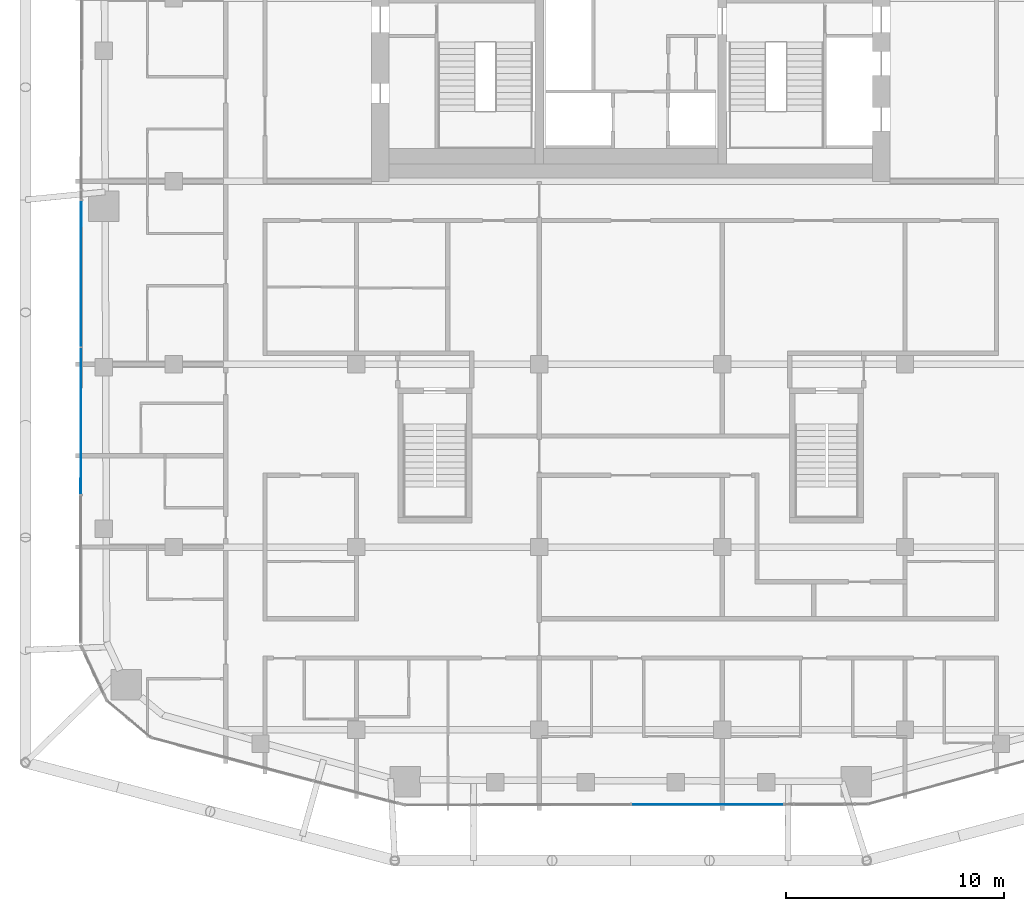
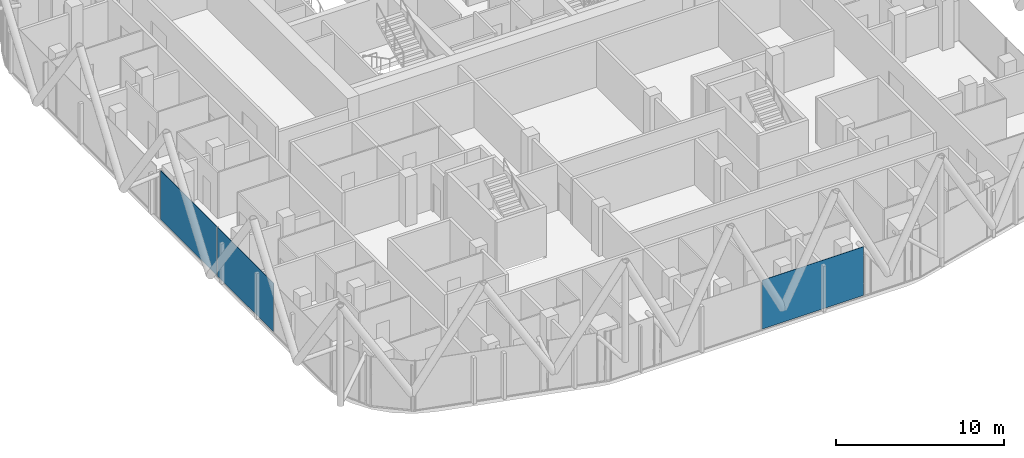
# One storey, part 15 of 31: 3 plates, 2 elements without a shape of their own.
"""IFC4 building model written with IfcOpenShell, lengths in metres."""

from ifc_helpers import new_model, si_unit, direction, frame, origin, origin_2d, place, context, subcontext, project, spatial, rectangle, extrude, material, layer, layer_set, type_object, element, aggregate, save


model = new_model("IFC4")

# Units and contexts
model_context = context("Model", 3, precision=1e-05, world=origin(), true_north=direction((0.0, 1.0)))
body_context = subcontext(model_context, "Body", "Model", "MODEL_VIEW")
ifc_project = project(units=[si_unit("LENGTHUNIT", "METRE"), si_unit("AREAUNIT", "SQUARE_METRE"), si_unit("VOLUMEUNIT", "CUBIC_METRE"), si_unit("PLANEANGLEUNIT", "RADIAN"), si_unit("MASSUNIT", "GRAM", prefix="KILO")], contexts=[model_context])

# Site, building, storey
site_placement = place(None, origin())
site = spatial("IfcSite", under=ifc_project, at=site_placement, CompositionType="ELEMENT")
building_placement = place(site_placement, origin())
building = spatial("IfcBuilding", under=site, at=building_placement, Name="Marenta Gate Hotel Tower", CompositionType="ELEMENT")
storey_placement = place(building_placement, frame((0.0, 0.0, 205.699951171875)))
storey = spatial("IfcBuildingStorey", under=building, at=storey_placement, Name="L47", CompositionType="ELEMENT", Elevation=205.699951171875)

# Curtain wall, plates
ifc_material_1 = material(Name="Tinted insulated glass in bronze anodised frame", Category="glass")
ifc_layer_1 = layer(ifc_material_1, 0.1201171875)
ifc_layer_set_1 = layer_set([ifc_layer_1], Name="Tinted insulated glass in bronze anodised frame")
curtain_wall_type = type_object("IfcCurtainWallType", Name="Tower unitised curtain wall CW1", PredefinedType="NOTDEFINED", material=ifc_layer_set_1)
curtain_wall_1_placement = place(storey_placement, origin())
curtain_wall_1 = element("IfcCurtainWall", 1, at=curtain_wall_1_placement, inside=storey, type_object=curtain_wall_type, Name="CW1 run G08", PredefinedType="NOTDEFINED")
ifc_material_2 = material(Name="Tinted insulated glass", Category="glass")
ifc_layer_2 = layer(ifc_material_2, 0.028076171875)
ifc_layer_set_2 = layer_set([ifc_layer_2], Name="Tinted insulated glass")
plate_type = type_object("IfcPlateType", Name="Glass panel CW1 28 mm tinted insulated unit", PredefinedType="CURTAIN_PANEL", material=ifc_layer_set_2)
plate_1_placement = place(storey_placement, frame((-25.246337890625, -4.238525390625, 0.06005859375), z_axis=(0.0, 0.0, 1.0), x_axis=(-0.001564651623, -0.999998775932, 0.0)))
plate_1 = element("IfcPlate", 2, at=plate_1_placement, type_object=plate_type, Name="CW1 panel 1.1", PredefinedType="CURTAIN_PANEL", context=body_context, shape_type="SweptSolid", body=[
    extrude(rectangle(XDim=6.7060546875, YDim=0.028076171875, at=origin_2d()), origin(), (0.0, 0.0, 1.0), 3.5400390625),
])
plate_2_placement = place(storey_placement, frame((-25.2568359375, -11.01953125, 0.06005859375), z_axis=(0.0, 0.0, 1.0), x_axis=(-0.001564651623, -0.999998775932, 0.0)))
plate_2 = element("IfcPlate", 3, at=plate_2_placement, type_object=plate_type, Name="CW1 panel 2.1", PredefinedType="CURTAIN_PANEL", context=body_context, shape_type="SweptSolid", body=[
    extrude(rectangle(XDim=6.736083984375, YDim=0.028076171875, at=origin_2d()), origin(), (0.0, 0.0, 1.0), 3.5400390625),
])
aggregate(curtain_wall_1, [plate_1, plate_2])

# Curtain wall, plate
curtain_wall_2_placement = place(storey_placement, origin())
curtain_wall_2 = element("IfcCurtainWall", 4, at=curtain_wall_2_placement, inside=storey, type_object=curtain_wall_type, Name="CW1 run G21", PredefinedType="NOTDEFINED")
plate_3_placement = place(storey_placement, frame((3.524658203125, -28.62451171875, 0.06005859375), z_axis=(0.0, 0.0, 1.0), x_axis=(0.99999866205, 0.001635817263, 0.0)))
plate_3 = element("IfcPlate", 5, at=plate_3_placement, type_object=plate_type, Name="CW1 panel 2.1", PredefinedType="CURTAIN_PANEL", context=body_context, shape_type="SweptSolid", body=[
    extrude(rectangle(XDim=6.969482421875, YDim=0.028076171875, at=origin_2d()), origin(), (0.0, 0.0, 1.0), 3.5400390625),
])
aggregate(curtain_wall_2, [plate_3])

save(model, "model.ifc")
